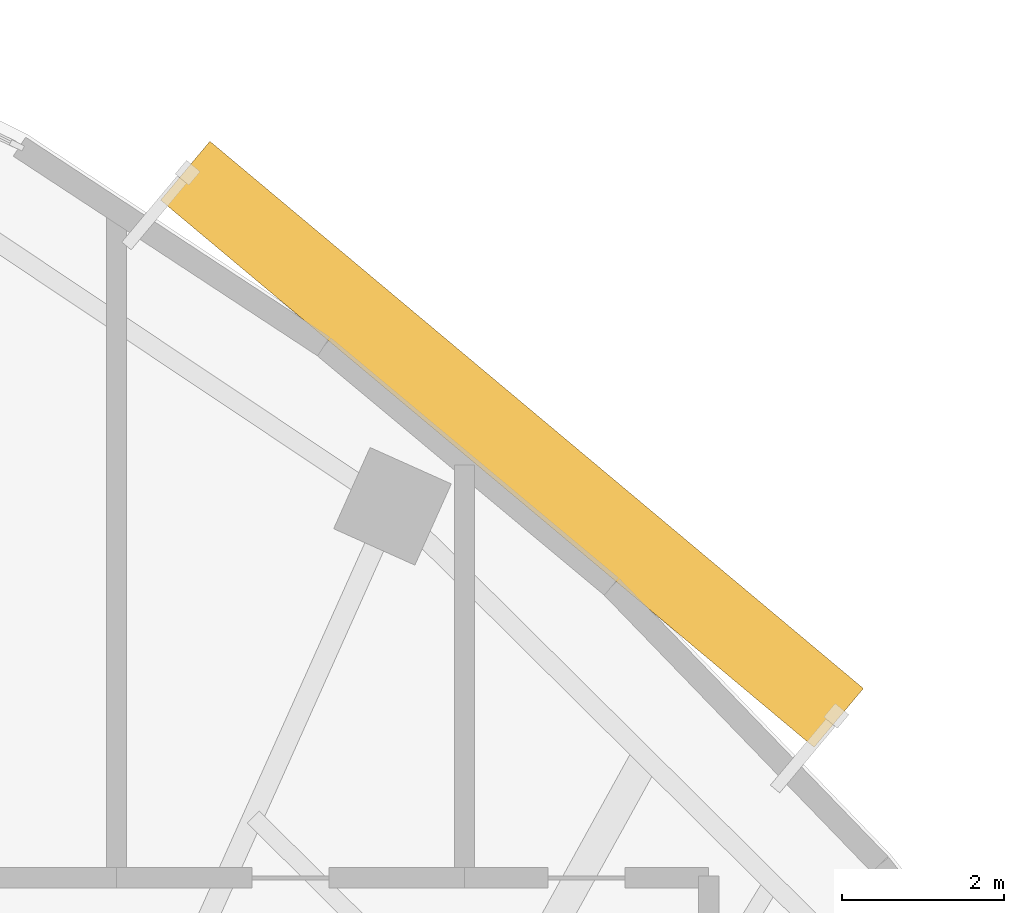
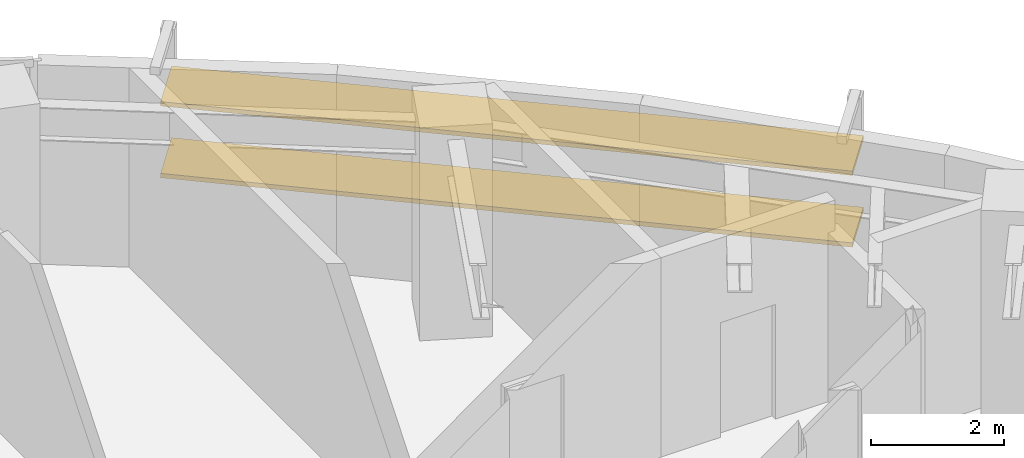
# One storey, part 14 of 14: 2 shading devices.
"""IFC4 building model written with IfcOpenShell, lengths in metres."""

from ifc_helpers import new_model, si_unit, direction, frame, origin, origin_2d, place, context, subcontext, project, spatial, rectangle, extrude, source, transform, mapped, material, material_profile, profile_set, type_object, element, save


model = new_model("IFC4")

# Units and contexts
model_context = context("Model", 3, precision=1e-05, world=origin(), true_north=direction((0.0, 1.0)))
body_context = subcontext(model_context, "Body", "Model", "MODEL_VIEW")
ifc_project = project(units=[si_unit("LENGTHUNIT", "METRE"), si_unit("AREAUNIT", "SQUARE_METRE"), si_unit("VOLUMEUNIT", "CUBIC_METRE"), si_unit("PLANEANGLEUNIT", "RADIAN"), si_unit("MASSUNIT", "GRAM", prefix="KILO")], contexts=[model_context])

# Site, building, storey
site_placement = place(None, origin())
site = spatial("IfcSite", under=ifc_project, at=site_placement, CompositionType="ELEMENT")
building_placement = place(site_placement, origin())
building = spatial("IfcBuilding", under=site, at=building_placement, Name="Breltana Convention Tower", CompositionType="ELEMENT")
storey_placement = place(building_placement, frame((0.0, 0.0, 177.89990234375)))
storey = spatial("IfcBuildingStorey", under=building, at=storey_placement, Name="L43", CompositionType="ELEMENT", Elevation=177.89990234375)

# Shading devices
ifc_material = material(Name="Limestone Warm Buff Honed", Category="masonry")
ifc_material_profile = material_profile(ifc_material, rectangle(XDim=0.949951171875, YDim=0.080078125, at=origin_2d()), Name="STN-LVR-950X80")
ifc_profile_set = profile_set([ifc_material_profile], Name="Limestone Warm Buff Honed")
shading_device_type = type_object("IfcShadingDeviceType", Name="SHD-OUTER-SKIN-LIMESTONE-950", PredefinedType="JALOUSIE", material=ifc_profile_set)
shared_shape = source(origin(), body_context, "Body", "SweptSolid", [
    extrude(rectangle(XDim=0.949951171875, YDim=0.080078125, at=origin_2d()), origin(), (0.0, 0.0, 1.0), 10.538330078125),
])
for number, where, z_axis, x_axis, name in (
    (1, (66.34814453125, 72.782958984375, 1.314208984375), (0.766705694316, -0.641998736996, 0.0), (0.641998736996, 0.766705694316, 0.0), "L43 outer skin warm limestone louvre 2.1"),
    (2, (66.34814453125, 72.782958984375, 2.628173828125), (0.766705694316, -0.641998736996, 0.0), (0.641998736996, 0.766705694316, 0.0), "L43 outer skin warm limestone louvre 2.2"),
):
    element("IfcShadingDevice", number, at=place(storey_placement, frame(where, z_axis=z_axis, x_axis=x_axis)), inside=storey, type_object=shading_device_type, Name=name, PredefinedType="JALOUSIE", context=body_context, shape_type="MappedRepresentation", body=[
        mapped(shared_shape, transform((0.0, 0.0, 0.0), scale=1.0)),
    ])

save(model, "model.ifc")
